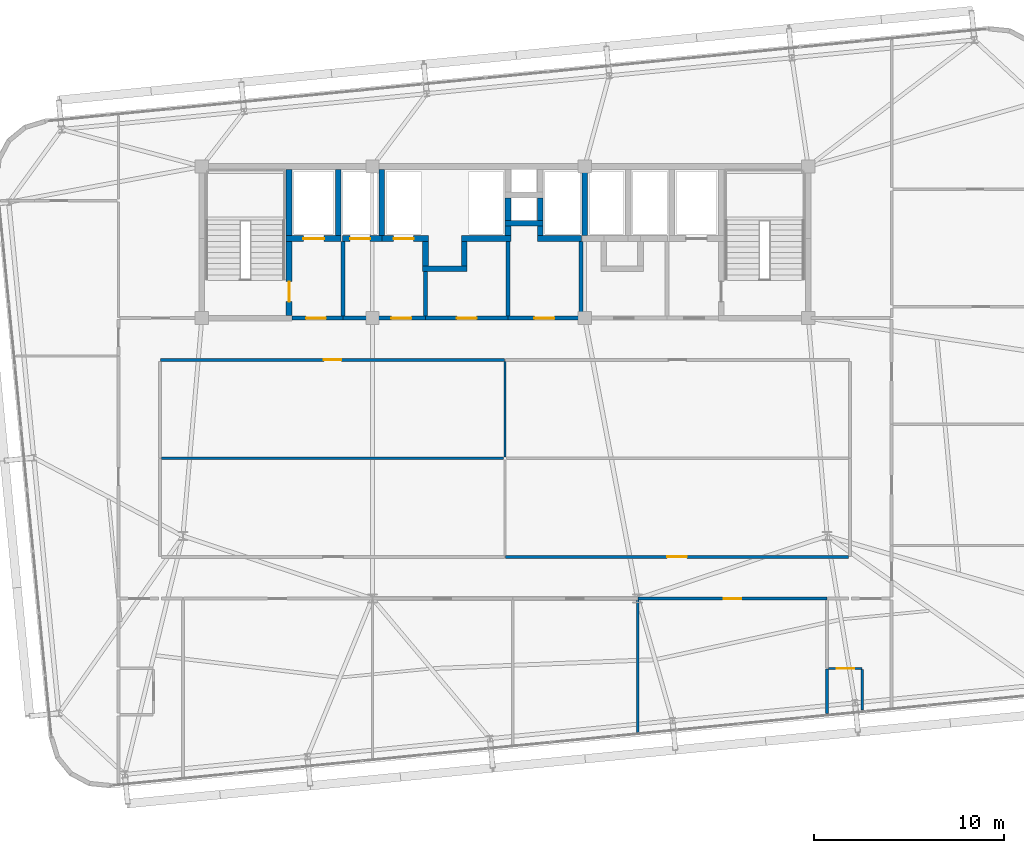
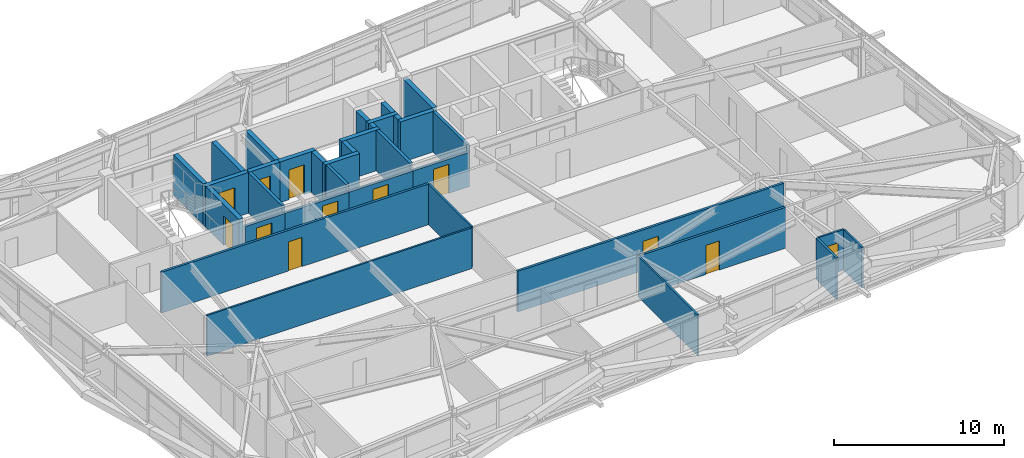
# One storey, part 47 of 52: 35 walls, 12 doors, 12 openings.
"""IFC4 building model written with IfcOpenShell, lengths in metres."""

from ifc_helpers import new_model, si_unit, direction, frame, frame_2d, origin, place, context, subcontext, project, spatial, rectangle, extrude, source, transform, mapped, material, layer, layer_set, type_object, element, fill, save


model = new_model("IFC4")

# Units and contexts
model_context = context("Model", 3, precision=1e-05, world=origin(), true_north=direction((0.0, 1.0)))
body_context = subcontext(model_context, "Body", "Model", "MODEL_VIEW")
ifc_project = project(units=[si_unit("LENGTHUNIT", "METRE"), si_unit("AREAUNIT", "SQUARE_METRE"), si_unit("VOLUMEUNIT", "CUBIC_METRE"), si_unit("PLANEANGLEUNIT", "RADIAN"), si_unit("MASSUNIT", "GRAM", prefix="KILO")], contexts=[model_context])

# Site, building, storey
site_placement = place(None, origin())
site = spatial("IfcSite", under=ifc_project, at=site_placement, CompositionType="ELEMENT")
building_placement = place(site_placement, origin())
building = spatial("IfcBuilding", under=site, at=building_placement, Name="Taldren Reach Tower", CompositionType="ELEMENT")
storey_placement = place(building_placement, frame((0.0, 0.0, 77.699951171875)))
storey = spatial("IfcBuildingStorey", under=building, at=storey_placement, Name="L23", CompositionType="ELEMENT", Elevation=77.699951171875)

# Wall, opening, door
ifc_material_1 = material(Name="Concrete S50 (50 MPa)", Category="concrete")
ifc_layer_1 = layer(ifc_material_1, 0.199951171875)
ifc_layer_set_1 = layer_set([ifc_layer_1], Name="Concrete S50 (50 MPa)")
wall_type_1 = type_object("IfcWallType", Name="IW-CORE-200", PredefinedType="SOLIDWALL", material=ifc_layer_set_1)
shared_shape_1 = source(origin(), body_context, "Body", "SweptSolid", [
    extrude(rectangle(XDim=4.35009765625, YDim=0.199951171875, at=frame_2d((2.175048828125, 0.0))), origin(), (0.0, 0.0, 1.0), 2.469970703125),
])
wall_1_placement = place(storey_placement, frame((30.800048828125, 24.0, 0.0), z_axis=(0.0, 0.0, 1.0), x_axis=(-1.0, 0.0, 0.0)))
wall_1 = element("IfcWall", 1, at=wall_1_placement, inside=storey, type_object=wall_type_1, Name="Rear Core Shear Wall W-INT-L23-033", PredefinedType="SOLIDWALL", context=body_context, shape_type="MappedRepresentation", body=[
    mapped(shared_shape_1, transform((0.0, 0.0, 0.0), scale=1.0)),
])
shared_shape_2 = source(origin(), body_context, "Body", "SweptSolid", [
    extrude(rectangle(XDim=1.050048828125, YDim=2.10009765625, at=frame_2d((0.52490234375, 1.050048828125))), frame((0.0, 0.10986328125, 0.0), z_axis=(0.0, -1.0, 0.0), x_axis=(1.0, 0.0, 0.0)), (0.0, 0.0, 1.0), 0.219970703125),
])
opening_1_placement = place(wall_1_placement, frame((0.75, 0.0, 0.0)))
opening_1 = element("IfcOpeningElement", 2, at=opening_1_placement, cuts=wall_1, Name="Opening DF-105", PredefinedType="OPENING", context=body_context, shape_type="MappedRepresentation", body=[
    mapped(shared_shape_2, transform((0.0, 0.0, 0.0), scale=1.0)),
])
ifc_material_2 = material(Name="Fire-Rated Care and Stair Exit Door")
door_type_1 = type_object("IfcDoorType", Name="ID-FIRE-105", OperationType="NOTDEFINED", PredefinedType="DOOR", material=ifc_material_2)
shared_shape_3 = source(origin(), body_context, "Body", "SweptSolid", [
    extrude(rectangle(XDim=1.050048828125, YDim=2.10009765625, at=frame_2d((0.52490234375, 1.050048828125))), frame((0.0, 0.02490234375, 0.0), z_axis=(0.0, -1.0, 0.0), x_axis=(1.0, 0.0, 0.0)), (0.0, 0.0, 1.0), 0.050048828125),
])
door_1_placement = place(opening_1_placement, frame((1.050048828125, 0.0, 0.0), z_axis=(0.0, 0.0, 1.0), x_axis=(-1.0, 0.0, 0.0)))
door_1 = element("IfcDoor", 3, at=door_1_placement, inside=storey, type_object=door_type_1, Name="Interior Door DR-L23-005", OperationType="SINGLE_SWING_RIGHT", OverallHeight=2.10009765625, OverallWidth=1.050048828125, PredefinedType="DOOR", context=body_context, shape_type="MappedRepresentation", body=[
    mapped(shared_shape_3, transform((0.0, 0.0, 0.0), scale=1.0)),
])
fill(opening_1, door_1)

shared_shape_4 = source(origin(), body_context, "Body", "SweptSolid", [
    extrude(rectangle(XDim=4.349853515625, YDim=0.199951171875, at=frame_2d((2.1748046875, 0.0))), origin(), (0.0, 0.0, 1.0), 2.469970703125),
])
wall_2_placement = place(storey_placement, frame((35.14990234375, 24.0, 0.0), z_axis=(0.0, 0.0, 1.0), x_axis=(-1.0, 0.0, 0.0)))
wall_2 = element("IfcWall", 4, at=wall_2_placement, inside=storey, type_object=wall_type_1, Name="Rear Core Shear Wall W-INT-L23-043", PredefinedType="SOLIDWALL", context=body_context, shape_type="MappedRepresentation", body=[
    mapped(shared_shape_4, transform((0.0, 0.0, 0.0), scale=1.0)),
])
opening_2_placement = place(wall_2_placement, frame((1.64990234375, 0.0, 0.0)))
opening_2 = element("IfcOpeningElement", 5, at=opening_2_placement, cuts=wall_2, Name="Opening DF-105", PredefinedType="OPENING", context=body_context, shape_type="MappedRepresentation", body=[
    mapped(shared_shape_2, transform((0.0, 0.0, 0.0), scale=1.0)),
])
door_2_placement = place(opening_2_placement, frame((1.050048828125, 0.0, 0.0), z_axis=(0.0, 0.0, 1.0), x_axis=(-1.0, 0.0, 0.0)))
door_2 = element("IfcDoor", 6, at=door_2_placement, inside=storey, type_object=door_type_1, Name="Interior Door DR-L23-006", OperationType="SINGLE_SWING_RIGHT", OverallHeight=2.10009765625, OverallWidth=1.050048828125, PredefinedType="DOOR", context=body_context, shape_type="MappedRepresentation", body=[
    mapped(shared_shape_3, transform((0.0, 0.0, 0.0), scale=1.0)),
])
fill(opening_2, door_2)

shared_shape_5 = source(origin(), body_context, "Body", "SweptSolid", [
    extrude(rectangle(XDim=3.85009765625, YDim=0.199951171875, at=frame_2d((1.925048828125, 0.0))), origin(), (0.0, 0.0, 1.0), 2.469970703125),
])
wall_3_placement = place(storey_placement, frame((39.0, 24.0, 0.0), z_axis=(0.0, 0.0, 1.0), x_axis=(-1.0, 0.0, 0.0)))
wall_3 = element("IfcWall", 7, at=wall_3_placement, inside=storey, type_object=wall_type_1, Name="Rear Core Shear Wall W-INT-L23-045", PredefinedType="SOLIDWALL", context=body_context, shape_type="MappedRepresentation", body=[
    mapped(shared_shape_5, transform((0.0, 0.0, 0.0), scale=1.0)),
])
opening_3_placement = place(wall_3_placement, frame((1.39990234375, 0.0, 0.0)))
opening_3 = element("IfcOpeningElement", 8, at=opening_3_placement, cuts=wall_3, Name="Opening DF-105", PredefinedType="OPENING", context=body_context, shape_type="MappedRepresentation", body=[
    mapped(shared_shape_2, transform((0.0, 0.0, 0.0), scale=1.0)),
])
door_3_placement = place(opening_3_placement, frame((1.050048828125, 0.0, 0.0), z_axis=(0.0, 0.0, 1.0), x_axis=(-1.0, 0.0, 0.0)))
door_3 = element("IfcDoor", 9, at=door_3_placement, inside=storey, type_object=door_type_1, Name="Interior Door DR-L23-007", OperationType="SINGLE_SWING_LEFT", OverallHeight=2.10009765625, OverallWidth=1.050048828125, PredefinedType="DOOR", context=body_context, shape_type="MappedRepresentation", body=[
    mapped(shared_shape_3, transform((0.0, 0.0, 0.0), scale=1.0)),
])
fill(opening_3, door_3)

ifc_material_3 = material(Name="Fire-Rated Acoustic Plasterboard Stud Wall", Category="gypsum")
ifc_layer_2 = layer(ifc_material_3, 0.159912109375)
ifc_layer_set_2 = layer_set([ifc_layer_2], Name="Fire-Rated Acoustic Plasterboard Stud Wall")
wall_type_2 = type_object("IfcWallType", Name="IW-FIRE-160", PredefinedType="PARTITIONING", material=ifc_layer_set_2)
shared_shape_6 = source(origin(), body_context, "Body", "SweptSolid", [
    extrude(rectangle(XDim=18.159423828125, YDim=0.159912109375, at=frame_2d((9.07958984375, 0.0))), origin(), (0.0, 0.0, 1.0), 2.929931640625),
])
wall_4_placement = place(storey_placement, frame((34.979736328125, 21.800048828125, 0.0), z_axis=(0.0, 0.0, 1.0), x_axis=(-1.0, 0.0, 0.0)))
wall_4 = element("IfcWall", 10, at=wall_4_placement, inside=storey, type_object=wall_type_2, Name="Interior Partition Wall W-INT-L23-048", PredefinedType="PARTITIONING", context=body_context, shape_type="MappedRepresentation", body=[
    mapped(shared_shape_6, transform((0.0, 0.0, 0.0), scale=1.0)),
])
shared_shape_7 = source(origin(), body_context, "Body", "SweptSolid", [
    extrude(rectangle(XDim=0.919921875, YDim=2.10009765625, at=frame_2d((0.4599609375, 1.050048828125))), frame((0.0, 0.08984375, 0.0), z_axis=(0.0, -1.0, 0.0), x_axis=(1.0, 0.0, 0.0)), (0.0, 0.0, 1.0), 0.179931640625),
])
opening_4_placement = place(wall_4_placement, frame((8.619873046875, 0.0, 0.0)))
opening_4 = element("IfcOpeningElement", 11, at=opening_4_placement, cuts=wall_4, Name="Opening DI-092", PredefinedType="OPENING", context=body_context, shape_type="MappedRepresentation", body=[
    mapped(shared_shape_7, transform((0.0, 0.0, 0.0), scale=1.0)),
])
ifc_material_4 = material(Name="Solid-Core Timber Suite Door", Category="wood")
door_type_2 = type_object("IfcDoorType", Name="ID-INT-092", OperationType="NOTDEFINED", PredefinedType="DOOR", material=ifc_material_4)
shared_shape_8 = source(origin(), body_context, "Body", "SweptSolid", [
    extrude(rectangle(XDim=0.919921875, YDim=2.10009765625, at=frame_2d((0.4599609375, 1.050048828125))), frame((0.0, 0.02490234375, 0.0), z_axis=(0.0, -1.0, 0.0), x_axis=(1.0, 0.0, 0.0)), (0.0, 0.0, 1.0), 0.050048828125),
])
door_4_placement = place(opening_4_placement, origin())
door_4 = element("IfcDoor", 12, at=door_4_placement, inside=storey, type_object=door_type_2, Name="Interior Door DR-L23-009", OperationType="SINGLE_SWING_RIGHT", OverallHeight=2.10009765625, OverallWidth=0.919921875, PredefinedType="DOOR", context=body_context, shape_type="MappedRepresentation", body=[
    mapped(shared_shape_8, transform((0.0, 0.0, 0.0), scale=1.0)),
])
fill(opening_4, door_4)

shared_shape_9 = source(origin(), body_context, "Body", "SweptSolid", [
    extrude(rectangle(XDim=18.099853515625, YDim=0.159912109375, at=frame_2d((9.0498046875, 0.0))), origin(), (0.0, 0.0, 1.0), 2.929931640625),
])
wall_5_placement = place(storey_placement, frame((35.020263671875, 11.39990234375, 0.0), z_axis=(0.0, 0.0, 1.0), x_axis=(1.0, 0.0, 0.0)))
wall_5 = element("IfcWall", 13, at=wall_5_placement, inside=storey, type_object=wall_type_2, Name="Interior Partition Wall W-INT-L23-063", PredefinedType="PARTITIONING", context=body_context, shape_type="MappedRepresentation", body=[
    mapped(shared_shape_9, transform((0.0, 0.0, 0.0), scale=1.0)),
])
shared_shape_10 = source(origin(), body_context, "Body", "SweptSolid", [
    extrude(rectangle(XDim=1.050048828125, YDim=2.10009765625, at=frame_2d((0.52490234375, 1.050048828125))), frame((0.0, 0.08984375, 0.0), z_axis=(0.0, -1.0, 0.0), x_axis=(1.0, 0.0, 0.0)), (0.0, 0.0, 1.0), 0.179931640625),
])
opening_5_placement = place(wall_5_placement, frame((8.52490234375, 0.0, 0.0)))
opening_5 = element("IfcOpeningElement", 14, at=opening_5_placement, cuts=wall_5, Name="Opening DF-105", PredefinedType="OPENING", context=body_context, shape_type="MappedRepresentation", body=[
    mapped(shared_shape_10, transform((0.0, 0.0, 0.0), scale=1.0)),
])
door_5_placement = place(opening_5_placement, origin())
door_5 = element("IfcDoor", 15, at=door_5_placement, inside=storey, type_object=door_type_1, Name="Interior Door DR-L23-020", OperationType="SINGLE_SWING_LEFT", OverallHeight=2.10009765625, OverallWidth=1.050048828125, PredefinedType="DOOR", context=body_context, shape_type="MappedRepresentation", body=[
    mapped(shared_shape_3, transform((0.0, 0.0, 0.0), scale=1.0)),
])
fill(opening_5, door_5)

# Walls
ifc_material_5 = material(Name="Insulated Residential Stud Partition", Category="gypsum")
ifc_layer_3 = layer(ifc_material_5, 0.1201171875)
ifc_layer_set_3 = layer_set([ifc_layer_3], Name="Insulated Residential Stud Partition")
wall_type_3 = type_object("IfcWallType", Name="IW-PART-120", PredefinedType="PARTITIONING", material=ifc_layer_set_3)
shared_shape_11 = source(origin(), body_context, "Body", "SweptSolid", [
    extrude(rectangle(XDim=18.0400390625, YDim=0.1201171875, at=frame_2d((9.02001953125, 0.0))), origin(), (0.0, 0.0, 1.0), 2.929931640625),
])
wall_6_placement = place(storey_placement, frame((16.8798828125, 16.60009765625, 0.0), z_axis=(0.0, 0.0, 1.0), x_axis=(1.0, 0.0, 0.0)))
element("IfcWall", 16, at=wall_6_placement, inside=storey, type_object=wall_type_3, Name="Interior Partition Wall W-INT-L23-070", PredefinedType="PARTITIONING", context=body_context, shape_type="MappedRepresentation", body=[
    mapped(shared_shape_11, transform((0.0, 0.0, 0.0), scale=1.0)),
])
shared_shape_12 = source(origin(), body_context, "Body", "SweptSolid", [
    extrude(rectangle(XDim=5.0400390625, YDim=0.1201171875, at=frame_2d((2.52001953125, 0.0))), origin(), (0.0, 0.0, 1.0), 2.929931640625),
])
wall_7_placement = place(storey_placement, frame((35.0, 21.719970703125, 0.0), z_axis=(0.0, 0.0, 1.0), x_axis=(0.0, -1.0, 0.0)))
element("IfcWall", 17, at=wall_7_placement, inside=storey, type_object=wall_type_3, Name="Interior Partition Wall W-INT-L23-072", PredefinedType="PARTITIONING", context=body_context, shape_type="MappedRepresentation", body=[
    mapped(shared_shape_12, transform((0.0, 0.0, 0.0), scale=1.0)),
])

# Wall, opening, door
shared_shape_13 = source(origin(), body_context, "Body", "SweptSolid", [
    extrude(rectangle(XDim=1.749755859375, YDim=0.1201171875, at=frame_2d((0.875, 0.0))), origin(), (0.0, 0.0, 1.0), 2.929931640625),
])
wall_8_placement = place(storey_placement, frame((53.829833984375, 5.51025390625, 0.0), z_axis=(0.0, 0.0, 1.0), x_axis=(-1.0, 0.0, 0.0)))
wall_8 = element("IfcWall", 18, at=wall_8_placement, inside=storey, type_object=wall_type_3, Name="Interior Partition Wall W-INT-L23-087", PredefinedType="PARTITIONING", context=body_context, shape_type="MappedRepresentation", body=[
    mapped(shared_shape_13, transform((0.0, 0.0, 0.0), scale=1.0)),
])
shared_shape_14 = source(origin(), body_context, "Body", "SweptSolid", [
    extrude(rectangle(XDim=0.919921875, YDim=2.10009765625, at=frame_2d((0.4599609375, 1.050048828125))), frame((0.0, 0.070068359375, 0.0), z_axis=(0.0, -1.0, 0.0), x_axis=(1.0, 0.0, 0.0)), (0.0, 0.0, 1.0), 0.14013671875),
])
opening_6_placement = place(wall_8_placement, frame((0.414794921875, 0.0, 0.0)))
opening_6 = element("IfcOpeningElement", 19, at=opening_6_placement, cuts=wall_8, Name="Opening DI-092", PredefinedType="OPENING", context=body_context, shape_type="MappedRepresentation", body=[
    mapped(shared_shape_14, transform((0.0, 0.0, 0.0), scale=1.0)),
])
door_6_placement = place(opening_6_placement, origin())
door_6 = element("IfcDoor", 20, at=door_6_placement, inside=storey, type_object=door_type_2, Name="Interior Door DR-L23-026", OperationType="SINGLE_SWING_LEFT", OverallHeight=2.10009765625, OverallWidth=0.919921875, PredefinedType="DOOR", context=body_context, shape_type="MappedRepresentation", body=[
    mapped(shared_shape_8, transform((0.0, 0.0, 0.0), scale=1.0)),
])
fill(opening_6, door_6)

shared_shape_15 = source(origin(), body_context, "Body", "SweptSolid", [
    extrude(rectangle(XDim=9.95947265625, YDim=0.159912109375, at=frame_2d((4.979736328125, 0.0))), origin(), (0.0, 0.0, 1.0), 2.929931640625),
])
wall_9_placement = place(storey_placement, frame((51.979736328125, 9.199951171875, 0.0), z_axis=(0.0, 0.0, 1.0), x_axis=(-1.0, 0.0, 0.0)))
wall_9 = element("IfcWall", 21, at=wall_9_placement, inside=storey, type_object=wall_type_2, Name="Interior Partition Wall W-INT-L23-068", PredefinedType="PARTITIONING", context=body_context, shape_type="MappedRepresentation", body=[
    mapped(shared_shape_15, transform((0.0, 0.0, 0.0), scale=1.0)),
])
opening_7_placement = place(wall_9_placement, frame((4.519775390625, 0.0, 0.0)))
opening_7 = element("IfcOpeningElement", 22, at=opening_7_placement, cuts=wall_9, Name="Opening DI-092", PredefinedType="OPENING", context=body_context, shape_type="MappedRepresentation", body=[
    mapped(shared_shape_7, transform((0.0, 0.0, 0.0), scale=1.0)),
])
door_7_placement = place(opening_7_placement, origin())
door_7 = element("IfcDoor", 23, at=door_7_placement, inside=storey, type_object=door_type_2, Name="Interior Door DR-L23-024", OperationType="SINGLE_SWING_LEFT", OverallHeight=2.10009765625, OverallWidth=0.919921875, PredefinedType="DOOR", context=body_context, shape_type="MappedRepresentation", body=[
    mapped(shared_shape_8, transform((0.0, 0.0, 0.0), scale=1.0)),
])
fill(opening_7, door_7)

# Walls
ifc_material_6 = material(Name="Concrete S65 (65 MPa)", Category="concrete")
ifc_layer_4 = layer(ifc_material_6, 0.300048828125)
ifc_layer_set_4 = layer_set([ifc_layer_4], Name="Concrete S65 (65 MPa)")
wall_type_4 = type_object("IfcWallType", Name="IW-CORE-300", PredefinedType="SHEAR", material=ifc_layer_set_4)
shared_shape_16 = source(origin(), body_context, "Body", "SweptSolid", [
    extrude(rectangle(XDim=3.5, YDim=0.300048828125, at=frame_2d((1.75, 0.0))), origin(), (0.0, 0.0, 1.0), 2.929931640625),
])
for number, where, z_axis, x_axis, name in (
    (24, (23.60009765625, 28.35009765625, 0.0), (0.0, 0.0, 1.0), (0.0, 1.0, 0.0), "Rear Core Shear Wall W-INT-L23-001"),
    (25, (26.199951171875, 28.35009765625, 0.0), (0.0, 0.0, 1.0), (0.0, 1.0, 0.0), "Rear Core Shear Wall W-INT-L23-005"),
    (26, (28.5, 28.35009765625, 0.0), (0.0, 0.0, 1.0), (0.0, 1.0, 0.0), "Rear Core Shear Wall W-INT-L23-029"),
    (27, (39.199951171875, 28.35009765625, 0.0), (0.0, 0.0, 1.0), (0.0, 1.0, 0.0), "Rear Core Shear Wall W-INT-L23-036"),
):
    element("IfcWall", number, at=place(storey_placement, frame(where, z_axis=z_axis, x_axis=x_axis)), inside=storey, type_object=wall_type_4, Name=name, PredefinedType="SHEAR", context=body_context, shape_type="MappedRepresentation", body=[
        mapped(shared_shape_16, transform((0.0, 0.0, 0.0), scale=1.0)),
    ])

# Wall, opening, door
shared_shape_17 = source(origin(), body_context, "Body", "SweptSolid", [
    extrude(rectangle(XDim=3.900146484375, YDim=0.300048828125, at=frame_2d((1.9501953125, 0.0))), origin(), (0.0, 0.0, 1.0), 2.929931640625),
])
wall_10_placement = place(storey_placement, frame((23.60009765625, 24.14990234375, 0.0), z_axis=(0.0, 0.0, 1.0), x_axis=(0.0, 1.0, 0.0)))
wall_10 = element("IfcWall", 28, at=wall_10_placement, inside=storey, type_object=wall_type_4, Name="Rear Core Shear Wall W-INT-L23-002", PredefinedType="SHEAR", context=body_context, shape_type="MappedRepresentation", body=[
    mapped(shared_shape_17, transform((0.0, 0.0, 0.0), scale=1.0)),
])
shared_shape_18 = source(origin(), body_context, "Body", "SweptSolid", [
    extrude(rectangle(XDim=1.050048828125, YDim=2.10009765625, at=frame_2d((0.52490234375, 1.050048828125))), frame((0.0, 0.16015625, 0.0), z_axis=(0.0, -1.0, 0.0), x_axis=(1.0, 0.0, 0.0)), (0.0, 0.0, 1.0), 0.320068359375),
])
opening_8_placement = place(wall_10_placement, frame((0.72509765625, 0.0, 0.0)))
opening_8 = element("IfcOpeningElement", 29, at=opening_8_placement, cuts=wall_10, Name="Opening DF-105", PredefinedType="OPENING", context=body_context, shape_type="MappedRepresentation", body=[
    mapped(shared_shape_18, transform((0.0, 0.0, 0.0), scale=1.0)),
])
door_8_placement = place(opening_8_placement, origin())
door_8 = element("IfcDoor", 30, at=door_8_placement, inside=storey, type_object=door_type_1, Name="Fire Exit Stair Door DR-L23-001", OperationType="SINGLE_SWING_LEFT", OverallHeight=2.10009765625, OverallWidth=1.050048828125, PredefinedType="DOOR", context=body_context, shape_type="MappedRepresentation", body=[
    mapped(shared_shape_3, transform((0.0, 0.0, 0.0), scale=1.0)),
])
fill(opening_8, door_8)

shared_shape_19 = source(origin(), body_context, "Body", "SweptSolid", [
    extrude(rectangle(XDim=2.900146484375, YDim=0.300048828125, at=frame_2d((1.4501953125, 0.0))), origin(), (0.0, 0.0, 1.0), 2.929931640625),
])
wall_11_placement = place(storey_placement, frame((23.449951171875, 28.199951171875, 0.0), z_axis=(0.0, 0.0, 1.0), x_axis=(1.0, 0.0, 0.0)))
wall_11 = element("IfcWall", 31, at=wall_11_placement, inside=storey, type_object=wall_type_4, Name="Rear Core Shear Wall W-INT-L23-004", PredefinedType="SHEAR", context=body_context, shape_type="MappedRepresentation", body=[
    mapped(shared_shape_19, transform((0.0, 0.0, 0.0), scale=1.0)),
])
shared_shape_20 = source(origin(), body_context, "Body", "SweptSolid", [
    extrude(rectangle(XDim=1.10009765625, YDim=2.14990234375, at=frame_2d((0.550048828125, 1.074951171875))), frame((0.0, 0.16015625, 0.0), z_axis=(0.0, -1.0, 0.0), x_axis=(1.0, 0.0, 0.0)), (0.0, 0.0, 1.0), 0.320068359375),
])
opening_9_placement = place(wall_11_placement, frame((0.89990234375, 0.0, 0.0)))
opening_9 = element("IfcOpeningElement", 32, at=opening_9_placement, cuts=wall_11, Name="Opening LD-FL1", PredefinedType="OPENING", context=body_context, shape_type="MappedRepresentation", body=[
    mapped(shared_shape_20, transform((0.0, 0.0, 0.0), scale=1.0)),
])
ifc_material_7 = material(Name="Stainless Steel Gr 316 Emergency Lift Landing Door", Category="steel")
door_type_3 = type_object("IfcDoorType", Name="LD-EMG-110", OperationType="SLIDING_TO_LEFT", PredefinedType="DOOR", material=ifc_material_7)
shared_shape_21 = source(origin(), body_context, "Body", "SweptSolid", [
    extrude(rectangle(XDim=1.10009765625, YDim=2.14990234375, at=frame_2d((0.550048828125, 1.074951171875))), frame((0.0, 0.02490234375, 0.0), z_axis=(0.0, -1.0, 0.0), x_axis=(1.0, 0.0, 0.0)), (0.0, 0.0, 1.0), 0.050048828125),
])
door_9_placement = place(opening_9_placement, origin())
door_9 = element("IfcDoor", 33, at=door_9_placement, inside=storey, type_object=door_type_3, Name="Lift Landing Door LD-FL1-L23", OperationType="SLIDING_TO_LEFT", OverallHeight=2.14990234375, OverallWidth=1.10009765625, PredefinedType="DOOR", context=body_context, shape_type="MappedRepresentation", body=[
    mapped(shared_shape_21, transform((0.0, 0.0, 0.0), scale=1.0)),
])
fill(opening_9, door_9)

# Walls
shared_shape_22 = source(origin(), body_context, "Body", "SweptSolid", [
    extrude(rectangle(XDim=3.949951171875, YDim=0.199951171875, at=frame_2d((1.97509765625, 0.0))), origin(), (0.0, 0.0, 1.0), 2.929931640625),
])
for number, where, z_axis, x_axis, name in (
    (34, (26.449951171875, 24.10009765625, 0.0), (0.0, 0.0, 1.0), (0.0, 1.0, 0.0), "Rear Core Shear Wall W-INT-L23-006"),
    (35, (35.14990234375, 28.050048828125, 0.0), (0.0, 0.0, 1.0), (0.0, -1.0, 0.0), "Rear Core Shear Wall W-INT-L23-042"),
    (36, (39.0, 28.050048828125, 0.0), (0.0, 0.0, 1.0), (0.0, -1.0, 0.0), "Rear Core Shear Wall W-INT-L23-044"),
):
    element("IfcWall", number, at=place(storey_placement, frame(where, z_axis=z_axis, x_axis=x_axis)), inside=storey, type_object=wall_type_1, Name=name, PredefinedType="SOLIDWALL", context=body_context, shape_type="MappedRepresentation", body=[
        mapped(shared_shape_22, transform((0.0, 0.0, 0.0), scale=1.0)),
    ])

# Wall, opening, door
shared_shape_23 = source(origin(), body_context, "Body", "SweptSolid", [
    extrude(rectangle(XDim=2.699951171875, YDim=0.199951171875, at=frame_2d((1.35009765625, 0.0))), origin(), (0.0, 0.0, 1.0), 2.469970703125),
])
wall_12_placement = place(storey_placement, frame((23.75, 24.0, 0.0), z_axis=(0.0, 0.0, 1.0), x_axis=(1.0, 0.0, 0.0)))
wall_12 = element("IfcWall", 37, at=wall_12_placement, inside=storey, type_object=wall_type_1, Name="Rear Core Shear Wall W-INT-L23-007", PredefinedType="SOLIDWALL", context=body_context, shape_type="MappedRepresentation", body=[
    mapped(shared_shape_23, transform((0.0, 0.0, 0.0), scale=1.0)),
])
opening_10_placement = place(wall_12_placement, frame((0.75, 0.0, 0.0)))
opening_10 = element("IfcOpeningElement", 38, at=opening_10_placement, cuts=wall_12, Name="Opening DF-105", PredefinedType="OPENING", context=body_context, shape_type="MappedRepresentation", body=[
    mapped(shared_shape_2, transform((0.0, 0.0, 0.0), scale=1.0)),
])
door_10_placement = place(opening_10_placement, origin())
door_10 = element("IfcDoor", 39, at=door_10_placement, inside=storey, type_object=door_type_1, Name="Interior Door DR-L23-002", OperationType="SINGLE_SWING_LEFT", OverallHeight=2.10009765625, OverallWidth=1.050048828125, PredefinedType="DOOR", context=body_context, shape_type="MappedRepresentation", body=[
    mapped(shared_shape_3, transform((0.0, 0.0, 0.0), scale=1.0)),
])
fill(opening_10, door_10)

# Walls
shared_shape_24 = source(origin(), body_context, "Body", "SweptSolid", [
    extrude(rectangle(XDim=2.0, YDim=0.300048828125, at=frame_2d((1.0, 0.0))), origin(), (0.0, 0.0, 1.0), 2.929931640625),
])
wall_13_placement = place(storey_placement, frame((35.0, 29.0, 0.0), z_axis=(0.0, 0.0, 1.0), x_axis=(1.0, 0.0, 0.0)))
element("IfcWall", 40, at=wall_13_placement, inside=storey, type_object=wall_type_4, Name="Rear Core Shear Wall W-INT-L23-020", PredefinedType="SHEAR", context=body_context, shape_type="MappedRepresentation", body=[
    mapped(shared_shape_24, transform((0.0, 0.0, 0.0), scale=1.0)),
])
shared_shape_25 = source(origin(), body_context, "Body", "SweptSolid", [
    extrude(rectangle(XDim=1.2001953125, YDim=0.300048828125, at=frame_2d((0.60009765625, 0.0))), origin(), (0.0, 0.0, 1.0), 2.929931640625),
])
for number, where, z_axis, x_axis, name in (
    (41, (35.14990234375, 30.35009765625, 0.0), (0.0, 0.0, 1.0), (0.0, -1.0, 0.0), "Rear Core Shear Wall W-INT-L23-018"),
    (42, (36.85009765625, 29.14990234375, 0.0), (0.0, 0.0, 1.0), (0.0, 1.0, 0.0), "Rear Core Shear Wall W-INT-L23-019"),
):
    element("IfcWall", number, at=place(storey_placement, frame(where, z_axis=z_axis, x_axis=x_axis)), inside=storey, type_object=wall_type_4, Name=name, PredefinedType="SHEAR", context=body_context, shape_type="MappedRepresentation", body=[
        mapped(shared_shape_25, transform((0.0, 0.0, 0.0), scale=1.0)),
    ])
shared_shape_26 = source(origin(), body_context, "Body", "SweptSolid", [
    extrude(rectangle(XDim=1.300048828125, YDim=0.300048828125, at=frame_2d((0.64990234375, 0.0))), origin(), (0.0, 0.0, 1.0), 2.929931640625),
])
for number, where, z_axis, x_axis, name in (
    (43, (30.800048828125, 28.050048828125, 0.0), (0.0, 0.0, 1.0), (0.0, -1.0, 0.0), "Rear Core Shear Wall W-INT-L23-021"),
    (44, (32.85009765625, 26.75, 0.0), (0.0, 0.0, 1.0), (0.0, 1.0, 0.0), "Rear Core Shear Wall W-INT-L23-023"),
):
    element("IfcWall", number, at=place(storey_placement, frame(where, z_axis=z_axis, x_axis=x_axis)), inside=storey, type_object=wall_type_4, Name=name, PredefinedType="SHEAR", context=body_context, shape_type="MappedRepresentation", body=[
        mapped(shared_shape_26, transform((0.0, 0.0, 0.0), scale=1.0)),
    ])

# Wall, opening, door
shared_shape_27 = source(origin(), body_context, "Body", "SweptSolid", [
    extrude(rectangle(XDim=2.070068359375, YDim=0.300048828125, at=frame_2d((1.03515625, 0.0))), origin(), (0.0, 0.0, 1.0), 2.929931640625),
])
wall_14_placement = place(storey_placement, frame((26.429931640625, 28.199951171875, 0.0), z_axis=(0.0, 0.0, 1.0), x_axis=(1.0, 0.0, 0.0)))
wall_14 = element("IfcWall", 45, at=wall_14_placement, inside=storey, type_object=wall_type_4, Name="Rear Core Shear Wall W-INT-L23-030", PredefinedType="SHEAR", context=body_context, shape_type="MappedRepresentation", body=[
    mapped(shared_shape_27, transform((0.0, 0.0, 0.0), scale=1.0)),
])
shared_shape_28 = source(origin(), body_context, "Body", "SweptSolid", [
    extrude(rectangle(XDim=1.050048828125, YDim=2.14990234375, at=frame_2d((0.52490234375, 1.074951171875))), frame((0.0, 0.16015625, 0.0), z_axis=(0.0, -1.0, 0.0), x_axis=(1.0, 0.0, 0.0)), (0.0, 0.0, 1.0), 0.320068359375),
])
opening_11_placement = place(wall_14_placement, frame((0.39501953125, 0.0, 0.0)))
opening_11 = element("IfcOpeningElement", 46, at=opening_11_placement, cuts=wall_14, Name="Opening LD-PL1", PredefinedType="OPENING", context=body_context, shape_type="MappedRepresentation", body=[
    mapped(shared_shape_28, transform((0.0, 0.0, 0.0), scale=1.0)),
])
ifc_material_8 = material(Name="Stainless Steel Gr 316 Passenger Lift Landing Door", Category="steel")
door_type_4 = type_object("IfcDoorType", Name="LD-PAS-105", OperationType="SLIDING_TO_LEFT", PredefinedType="DOOR", material=ifc_material_8)
shared_shape_29 = source(origin(), body_context, "Body", "SweptSolid", [
    extrude(rectangle(XDim=1.050048828125, YDim=2.14990234375, at=frame_2d((0.52490234375, 1.074951171875))), frame((0.0, 0.02490234375, 0.0), z_axis=(0.0, -1.0, 0.0), x_axis=(1.0, 0.0, 0.0)), (0.0, 0.0, 1.0), 0.050048828125),
])
door_11_placement = place(opening_11_placement, origin())
door_11 = element("IfcDoor", 47, at=door_11_placement, inside=storey, type_object=door_type_4, Name="Lift Landing Door LD-PL1-L23", OperationType="SLIDING_TO_LEFT", OverallHeight=2.14990234375, OverallWidth=1.050048828125, PredefinedType="DOOR", context=body_context, shape_type="MappedRepresentation", body=[
    mapped(shared_shape_29, transform((0.0, 0.0, 0.0), scale=1.0)),
])
fill(opening_11, door_11)

shared_shape_30 = source(origin(), body_context, "Body", "SweptSolid", [
    extrude(rectangle(XDim=2.449951171875, YDim=0.300048828125, at=frame_2d((1.22509765625, 0.0))), origin(), (0.0, 0.0, 1.0), 2.929931640625),
])
wall_15_placement = place(storey_placement, frame((28.5, 28.199951171875, 0.0), z_axis=(0.0, 0.0, 1.0), x_axis=(1.0, 0.0, 0.0)))
wall_15 = element("IfcWall", 48, at=wall_15_placement, inside=storey, type_object=wall_type_4, Name="Rear Core Shear Wall W-INT-L23-031", PredefinedType="SHEAR", context=body_context, shape_type="MappedRepresentation", body=[
    mapped(shared_shape_30, transform((0.0, 0.0, 0.0), scale=1.0)),
])
opening_12_placement = place(wall_15_placement, frame((0.625, 0.0, 0.0)))
opening_12 = element("IfcOpeningElement", 49, at=opening_12_placement, cuts=wall_15, Name="Opening LD-PL2", PredefinedType="OPENING", context=body_context, shape_type="MappedRepresentation", body=[
    mapped(shared_shape_28, transform((0.0, 0.0, 0.0), scale=1.0)),
])
door_12_placement = place(opening_12_placement, origin())
door_12 = element("IfcDoor", 50, at=door_12_placement, inside=storey, type_object=door_type_4, Name="Lift Landing Door LD-PL2-L23", OperationType="SLIDING_TO_LEFT", OverallHeight=2.14990234375, OverallWidth=1.050048828125, PredefinedType="DOOR", context=body_context, shape_type="MappedRepresentation", body=[
    mapped(shared_shape_29, transform((0.0, 0.0, 0.0), scale=1.0)),
])
fill(opening_12, door_12)

# Walls
shared_shape_31 = source(origin(), body_context, "Body", "SweptSolid", [
    extrude(rectangle(XDim=2.349853515625, YDim=0.199951171875, at=frame_2d((1.1748046875, 0.0))), origin(), (0.0, 0.0, 1.0), 2.929931640625),
])
wall_16_placement = place(storey_placement, frame((30.800048828125, 26.449951171875, 0.0), z_axis=(0.0, 0.0, 1.0), x_axis=(0.0, -1.0, 0.0)))
element("IfcWall", 51, at=wall_16_placement, inside=storey, type_object=wall_type_1, Name="Rear Core Shear Wall W-INT-L23-032", PredefinedType="SOLIDWALL", context=body_context, shape_type="MappedRepresentation", body=[
    mapped(shared_shape_31, transform((0.0, 0.0, 0.0), scale=1.0)),
])
shared_shape_32 = source(origin(), body_context, "Body", "SweptSolid", [
    extrude(rectangle(XDim=0.5, YDim=0.300048828125, at=frame_2d((0.25, 0.0))), origin(), (0.0, 0.0, 1.0), 2.929931640625),
])
for number, where, z_axis, x_axis, name in (
    (52, (35.14990234375, 28.35009765625, 0.0), (0.0, 0.0, 1.0), (0.0, 1.0, 0.0), "Rear Core Shear Wall W-INT-L23-035"),
    (53, (36.85009765625, 28.85009765625, 0.0), (0.0, 0.0, 1.0), (0.0, -1.0, 0.0), "Rear Core Shear Wall W-INT-L23-038"),
):
    element("IfcWall", number, at=place(storey_placement, frame(where, z_axis=z_axis, x_axis=x_axis)), inside=storey, type_object=wall_type_4, Name=name, PredefinedType="SHEAR", context=body_context, shape_type="MappedRepresentation", body=[
        mapped(shared_shape_32, transform((0.0, 0.0, 0.0), scale=1.0)),
    ])
shared_shape_33 = source(origin(), body_context, "Body", "SweptSolid", [
    extrude(rectangle(XDim=6.97607421875, YDim=0.1201171875, at=frame_2d((3.488037109375, 0.0))), origin(), (0.0, 0.0, 1.0), 2.929931640625),
])
wall_17_placement = place(storey_placement, frame((42.0, 9.1201171875, 0.0), z_axis=(0.0, 0.0, 1.0), x_axis=(0.0, -1.0, 0.0)))
element("IfcWall", 54, at=wall_17_placement, inside=storey, type_object=wall_type_3, Name="Interior Partition Wall W-INT-L23-083", PredefinedType="PARTITIONING", context=body_context, shape_type="MappedRepresentation", body=[
    mapped(shared_shape_33, transform((0.0, 0.0, 0.0), scale=1.0)),
])
shared_shape_34 = source(origin(), body_context, "Body", "SweptSolid", [
    extrude(rectangle(XDim=2.35009765625, YDim=0.300048828125, at=frame_2d((1.175048828125, 0.0))), origin(), (0.0, 0.0, 1.0), 2.929931640625),
])
wall_18_placement = place(storey_placement, frame((30.64990234375, 26.60009765625, 0.0), z_axis=(0.0, 0.0, 1.0), x_axis=(1.0, 0.0, 0.0)))
element("IfcWall", 55, at=wall_18_placement, inside=storey, type_object=wall_type_4, Name="Rear Core Shear Wall W-INT-L23-022", PredefinedType="SHEAR", context=body_context, shape_type="MappedRepresentation", body=[
    mapped(shared_shape_34, transform((0.0, 0.0, 0.0), scale=1.0)),
])
shared_shape_35 = source(origin(), body_context, "Body", "SweptSolid", [
    extrude(rectangle(XDim=2.60009765625, YDim=0.300048828125, at=frame_2d((1.300048828125, 0.0))), origin(), (0.0, 0.0, 1.0), 2.929931640625),
])
wall_19_placement = place(storey_placement, frame((32.699951171875, 28.199951171875, 0.0), z_axis=(0.0, 0.0, 1.0), x_axis=(1.0, 0.0, 0.0)))
element("IfcWall", 56, at=wall_19_placement, inside=storey, type_object=wall_type_4, Name="Rear Core Shear Wall W-INT-L23-034", PredefinedType="SHEAR", context=body_context, shape_type="MappedRepresentation", body=[
    mapped(shared_shape_35, transform((0.0, 0.0, 0.0), scale=1.0)),
])
shared_shape_36 = source(origin(), body_context, "Body", "SweptSolid", [
    extrude(rectangle(XDim=2.12841796875, YDim=0.1201171875, at=frame_2d((1.064208984375, 0.0))), origin(), (0.0, 0.0, 1.0), 2.929931640625),
])
wall_20_placement = place(storey_placement, frame((53.85009765625, 3.32177734375, 0.0), z_axis=(0.0, 0.0, 1.0), x_axis=(0.0, 1.0, 0.0)))
element("IfcWall", 57, at=wall_20_placement, inside=storey, type_object=wall_type_3, Name="Interior Partition Wall W-INT-L23-086", PredefinedType="PARTITIONING", context=body_context, shape_type="MappedRepresentation", body=[
    mapped(shared_shape_36, transform((0.0, 0.0, 0.0), scale=1.0)),
])
shared_shape_37 = source(origin(), body_context, "Body", "SweptSolid", [
    extrude(rectangle(XDim=2.320068359375, YDim=0.300048828125, at=frame_2d((1.16015625, 0.0))), origin(), (0.0, 0.0, 1.0), 2.929931640625),
])
wall_21_placement = place(storey_placement, frame((36.699951171875, 28.199951171875, 0.0), z_axis=(0.0, 0.0, 1.0), x_axis=(1.0, 0.0, 0.0)))
element("IfcWall", 58, at=wall_21_placement, inside=storey, type_object=wall_type_4, Name="Rear Core Shear Wall W-INT-L23-037", PredefinedType="SHEAR", context=body_context, shape_type="MappedRepresentation", body=[
    mapped(shared_shape_37, transform((0.0, 0.0, 0.0), scale=1.0)),
])
shared_shape_38 = source(origin(), body_context, "Body", "SweptSolid", [
    extrude(rectangle(XDim=2.365478515625, YDim=0.159912109375, at=frame_2d((1.1826171875, 0.0))), origin(), (0.0, 0.0, 1.0), 2.929931640625),
])
wall_22_placement = place(storey_placement, frame((52.0, 5.489990234375, 0.0), z_axis=(0.0, 0.0, 1.0), x_axis=(0.0, -1.0, 0.0)))
element("IfcWall", 59, at=wall_22_placement, inside=storey, type_object=wall_type_2, Name="Interior Partition Wall W-INT-L23-085", PredefinedType="PARTITIONING", context=body_context, shape_type="MappedRepresentation", body=[
    mapped(shared_shape_38, transform((0.0, 0.0, 0.0), scale=1.0)),
])

save(model, "model.ifc")
